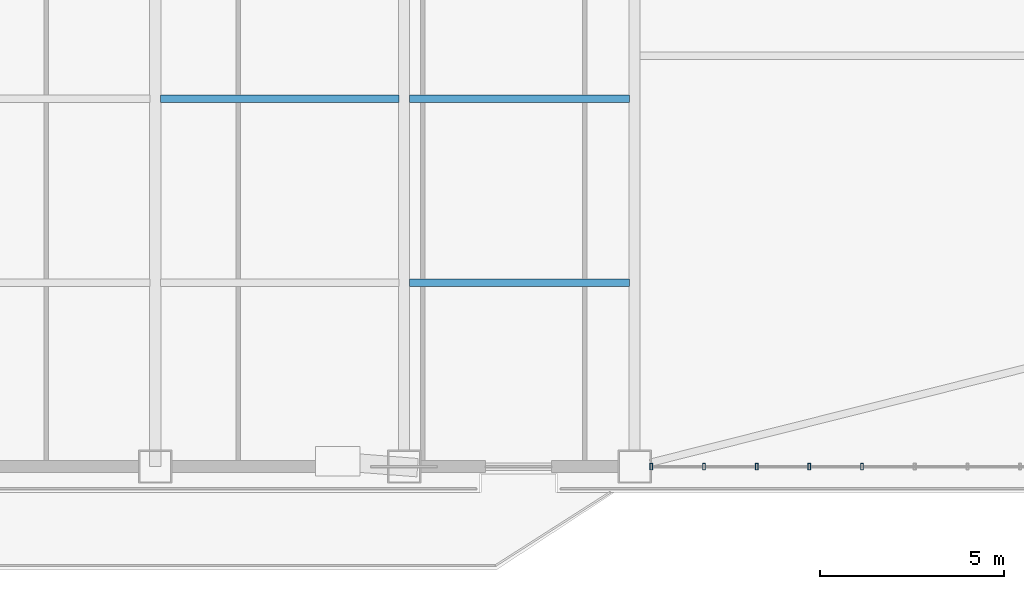
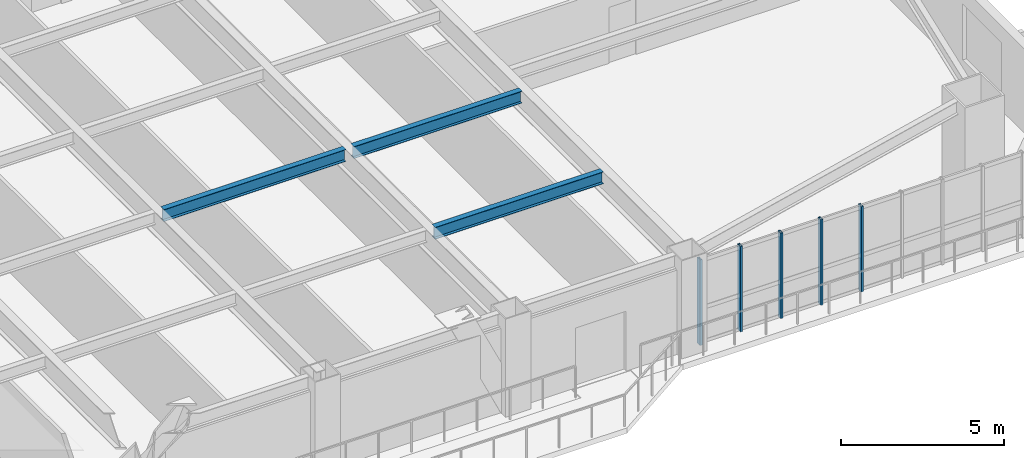
# One storey, part 4 of 15: 5 members, 3 beams, 1 element without a shape of its own.
"""IFC4 building model written with IfcOpenShell, lengths in metres."""

import ifcopenshell
import ifcopenshell.guid

model = None  # the IFC model being written
_history = None  # IfcOwnerHistory: only IFC2X3 demands one
_inside = {}  # id of a spatial element -> (the spatial element, [elements in it])
_under = {}  # id of a project, library or spatial element -> (it, [spatial elements below it])
_declared = {}  # id of a project -> (the project, [libraries it declares])
_typed = {}  # id of a type object -> (the type object, [elements of that type])
_made_of = {}  # id of a material, layer set ... -> (it, [elements and type objects made of it])


def new_model(schema):
    """Start an empty IFC model of exactly this schema.

    Asked for "IFC4X3", IfcOpenShell would pick the latest addendum, in which some entities
    have other attributes; the version numbers below select the first issue.
    IFC2X3 requires an IfcOwnerHistory on every rooted entity: one is made here for all.
    """
    global model, _history
    if schema == "IFC4X3":
        model = ifcopenshell.file(schema_version=(4, 3, 0, 0))
    else:
        model = ifcopenshell.file(schema=schema)
    _inside.clear()
    _under.clear()
    _declared.clear()
    _typed.clear()
    _made_of.clear()
    _history = None
    if model.schema == "IFC2X3":
        org = make("IfcOrganization", Name="unknown")
        user = make(
            "IfcPersonAndOrganization",
            ThePerson=make("IfcPerson", FamilyName="unknown"),
            TheOrganization=org,
        )
        app = make(
            "IfcApplication",
            ApplicationDeveloper=org,
            Version="unknown",
            ApplicationFullName="unknown",
            ApplicationIdentifier="unknown",
        )
        _history = make(
            "IfcOwnerHistory",
            OwningUser=user,
            OwningApplication=app,
            ChangeAction="ADDED",
            CreationDate=0,
        )
    return model


def make(cls, **values):
    """One entity of the class cls with the attributes given. An attribute that is None is left unset."""
    return model.create_entity(
        cls, **{name: value for name, value in values.items() if value is not None}
    )


def rooted(cls, **values):
    """An entity with a GlobalId (a new one), such as an element, a storey or a relation."""
    return make(cls, GlobalId=ifcopenshell.guid.new(), OwnerHistory=_history, **values)


def si_unit(unit_type, name, prefix=None):
    """IfcSIUnit, for example si_unit("LENGTHUNIT", "METRE", prefix="MILLI")."""
    return make("IfcSIUnit", UnitType=unit_type, Prefix=prefix, Name=name)


def assignment(units):
    """IfcUnitAssignment: the units of a project."""
    return None if units is None else make("IfcUnitAssignment", Units=units)


def point(xyz):
    """IfcCartesianPoint."""
    return None if xyz is None else make("IfcCartesianPoint", Coordinates=xyz)


def direction(xyz):
    """IfcDirection."""
    return None if xyz is None else make("IfcDirection", DirectionRatios=xyz)


def frame(location, z_axis=None, x_axis=None):
    """IfcAxis2Placement3D, a coordinate frame: its origin and axes. An axis left out is left unset."""
    return make(
        "IfcAxis2Placement3D",
        Location=point(location),
        Axis=direction(z_axis),
        RefDirection=direction(x_axis),
    )


def frame_2d(location, x_axis=None):
    """IfcAxis2Placement2D, a coordinate frame in the plane: its origin and x axis."""
    return make(
        "IfcAxis2Placement2D", Location=point(location), RefDirection=direction(x_axis)
    )


def origin():
    """The frame at (0, 0, 0) with its axes left unset."""
    return frame((0.0, 0.0, 0.0))


def origin_2d():
    """The frame at (0, 0) in the plane with its x axis left unset."""
    return frame_2d((0.0, 0.0))


def place(relative_to, where):
    """IfcLocalPlacement: puts the frame where relative to a parent placement (None: the world)."""
    return make(
        "IfcLocalPlacement", PlacementRelTo=relative_to, RelativePlacement=where
    )


def context(
    kind, dimensions, precision=None, world=None, true_north=None, identifier=None
):
    """IfcGeometricRepresentationContext, for example the 3D "Model" context."""
    return make(
        "IfcGeometricRepresentationContext",
        ContextIdentifier=identifier,
        ContextType=kind,
        CoordinateSpaceDimension=dimensions,
        Precision=precision,
        WorldCoordinateSystem=world,
        TrueNorth=true_north,
    )


def subcontext(parent, identifier, kind, view, scale=None):
    """IfcGeometricRepresentationSubContext, for example "Body" below "Model"."""
    return make(
        "IfcGeometricRepresentationSubContext",
        ContextIdentifier=identifier,
        ContextType=kind,
        ParentContext=parent,
        TargetScale=scale,
        TargetView=view,
    )


def project(units=None, contexts=None):
    """IfcProject with its units and contexts."""
    return rooted(
        "IfcProject",
        Name="project",
        RepresentationContexts=contexts,
        UnitsInContext=assignment(units),
    )


def spatial(cls, under=None, at=None, **own):
    """A site, building, storey or space (cls), placed at a placement, below another one or the project."""
    s = rooted(cls, ObjectPlacement=at, **own)
    if under is not None:
        _under.setdefault(under.id(), (under, []))[1].append(s)
    return s


def profile(cls, at=None, kind="AREA", **sizes):
    """A parametric profile (cls). Its sizes go by their IFC names, for example OverallWidth=200.0."""
    return make(cls, ProfileType=kind, Position=at, **sizes)


def hollow_rectangle(**sizes):
    """IfcRectangleHollowProfileDef."""
    return profile("IfcRectangleHollowProfileDef", **sizes)


def i_section(**sizes):
    """IfcIShapeProfileDef."""
    return profile("IfcIShapeProfileDef", **sizes)


def extrude(swept, where, along, depth):
    """IfcExtrudedAreaSolid: the profile swept, set in the frame where, extruded along a direction by depth."""
    return make(
        "IfcExtrudedAreaSolid",
        SweptArea=swept,
        Position=where,
        ExtrudedDirection=direction(along),
        Depth=depth,
    )


def shape(context_of_items, identifier, shape_type, items):
    """IfcShapeRepresentation: the items that make up one representation, for example the "Body"."""
    return make(
        "IfcShapeRepresentation",
        ContextOfItems=context_of_items,
        RepresentationIdentifier=identifier,
        RepresentationType=shape_type,
        Items=items,
    )


def source(mapping_origin, context_of_items, identifier, shape_type, items):
    """IfcRepresentationMap: a shape defined once, which mapped items show again and again."""
    return make(
        "IfcRepresentationMap",
        MappingOrigin=mapping_origin,
        MappedRepresentation=shape(context_of_items, identifier, shape_type, items),
    )


def transform(
    local_origin,
    x_axis=None,
    y_axis=None,
    z_axis=None,
    scale=None,
    scale2=None,
    scale3=None,
    uniform=True,
):
    """IfcCartesianTransformationOperator3D, or its non-uniform kind. x_axis, y_axis, z_axis: its Axis1, 2, 3."""
    if uniform:
        return make(
            "IfcCartesianTransformationOperator3D",
            Axis1=direction(x_axis),
            Axis2=direction(y_axis),
            LocalOrigin=point(local_origin),
            Scale=scale,
            Axis3=direction(z_axis),
        )
    return make(
        "IfcCartesianTransformationOperator3DnonUniform",
        Axis1=direction(x_axis),
        Axis2=direction(y_axis),
        LocalOrigin=point(local_origin),
        Scale=scale,
        Axis3=direction(z_axis),
        Scale2=scale2,
        Scale3=scale3,
    )


def mapped(mapping_source, mapping_target):
    """IfcMappedItem: shows the shape of a source again, moved by a transform."""
    return make(
        "IfcMappedItem", MappingSource=mapping_source, MappingTarget=mapping_target
    )


def material(Name=None, Category=None):
    """IfcMaterial."""
    return make("IfcMaterial", Name=Name, Category=Category)


def layer(
    of_material, thickness, ventilated=None, Name=None, Category=None, Priority=None
):
    """IfcMaterialLayer: one layer of a wall or slab, of a material (None: an air gap)."""
    return make(
        "IfcMaterialLayer",
        Material=of_material,
        LayerThickness=thickness,
        IsVentilated=ventilated,
        Name=Name,
        Category=Category,
        Priority=Priority,
    )


def layer_set(layers, Name=None):
    """IfcMaterialLayerSet."""
    return make("IfcMaterialLayerSet", MaterialLayers=layers, LayerSetName=Name)


def material_profile(
    of_material, cross_section, Name=None, Category=None, Priority=None
):
    """IfcMaterialProfile: a cross section and its material."""
    return make(
        "IfcMaterialProfile",
        Name=Name,
        Material=of_material,
        Profile=cross_section,
        Priority=Priority,
        Category=Category,
    )


def profile_set(profiles, Name=None, composite=None):
    """IfcMaterialProfileSet."""
    return make(
        "IfcMaterialProfileSet",
        Name=Name,
        MaterialProfiles=profiles,
        CompositeProfile=composite,
    )


def made_of(thing, what):
    """Note that an element or type object is made of a material, layer set ...; save() writes the relation."""
    if what is not None:
        _made_of.setdefault(what.id(), (what, []))[1].append(thing)
    return thing


def type_object(cls, material=None, **own):
    """A type object (cls), such as IfcWallType, which elements share."""
    return made_of(rooted(cls, **own), material)


def element(
    cls,
    number,
    at=None,
    inside=None,
    cuts=None,
    type_object=None,
    material=None,
    context=None,
    identifier="Body",
    shape_type=None,
    held_by="IfcProductDefinitionShape",
    body=None,
    shapes=None,
    **own,
):
    """One element of the class cls, such as IfcWall. Its Tag is "e" and its number.

    at: its placement. inside: the storey or other place that contains it. cuts: it is an
    opening in that element (IfcRelVoidsElement). A single representation is given by context,
    identifier, shape_type and body (its items); several are given by shapes. held_by: the class
    of the entity that holds the representations. save() writes the other relations.
    """
    e = rooted(cls, Tag="e%d" % number, ObjectPlacement=at, **own)
    if body is not None:
        shapes = [shape(context, identifier, shape_type, body)]
    if shapes is not None:
        e.Representation = make(held_by, Representations=shapes)
    if inside is not None:
        _inside.setdefault(inside.id(), (inside, []))[1].append(e)
    if cuts is not None:
        rooted(
            "IfcRelVoidsElement", RelatingBuildingElement=cuts, RelatedOpeningElement=e
        )
    if type_object is not None:
        _typed.setdefault(type_object.id(), (type_object, []))[1].append(e)
    return made_of(e, material)


def aggregate(whole, parts):
    """IfcRelAggregates: a whole, such as a stair, and the parts it consists of."""
    return rooted("IfcRelAggregates", RelatingObject=whole, RelatedObjects=parts)


def save(model, path):
    """Write the relations noted so far, then the file.

    IfcRelAggregates (storeys below a building ...), IfcRelContainedInSpatialStructure (elements
    in a storey), IfcRelDefinesByType, IfcRelAssociatesMaterial and IfcRelDeclares: one each for
    every whole, place, type object, material and project.
    """
    for whole, parts in _under.values():
        aggregate(whole, parts)
    for where, things in _inside.values():
        rooted(
            "IfcRelContainedInSpatialStructure",
            RelatedElements=things,
            RelatingStructure=where,
        )
    for kind, things in _typed.values():
        rooted("IfcRelDefinesByType", RelatedObjects=things, RelatingType=kind)
    for what, things in _made_of.values():
        rooted("IfcRelAssociatesMaterial", RelatedObjects=things, RelatingMaterial=what)
    for by, libraries in _declared.values():
        rooted("IfcRelDeclares", RelatingContext=by, RelatedDefinitions=libraries)
    model.write(path)


model = new_model("IFC4")

# Units and contexts
model_context = context("Model", 3, precision=1e-05, world=origin(), true_north=direction((0.0, 1.0)))
body_context = subcontext(model_context, "Body", "Model", "MODEL_VIEW")
ifc_project = project(units=[si_unit("LENGTHUNIT", "METRE"), si_unit("AREAUNIT", "SQUARE_METRE"), si_unit("VOLUMEUNIT", "CUBIC_METRE"), si_unit("PLANEANGLEUNIT", "RADIAN"), si_unit("MASSUNIT", "GRAM", prefix="KILO")], contexts=[model_context])

# Site, building, storey
site_placement = place(None, origin())
site = spatial("IfcSite", under=ifc_project, at=site_placement, CompositionType="ELEMENT")
building_placement = place(site_placement, origin())
building = spatial("IfcBuilding", under=site, at=building_placement, Name="Giltprow Tower", CompositionType="ELEMENT")
storey_placement = place(building_placement, frame((0.0, 0.0, 123.10009765625)))
storey = spatial("IfcBuildingStorey", under=building, at=storey_placement, Name="L30", CompositionType="ELEMENT", Elevation=123.10009765625)

# Beams
ifc_material_1 = material(Name="Structural steel Q355B", Category="steel")
ifc_material_profile_1 = material_profile(ifc_material_1, i_section(OverallWidth=0.199951171875, OverallDepth=0.449951171875, WebThickness=0.009033203125, FlangeThickness=0.013916015625, at=origin_2d()), Name="HN 450x200x9x14")
ifc_profile_set_1 = profile_set([ifc_material_profile_1], Name="Structural steel Q355B")
beam_type = type_object("IfcBeamType", Name="BM-JOIST-HN450", PredefinedType="JOIST", material=ifc_profile_set_1)
shared_shape_1 = source(origin(), body_context, "Body", "SweptSolid", [
    extrude(i_section(OverallWidth=0.199951171875, OverallDepth=0.449951171875, WebThickness=0.009033203125, FlangeThickness=0.013916015625, at=origin_2d()), origin(), (0.0, 0.0, 1.0), 6.4599609375),
])
beam_placement = place(storey_placement, frame((37.695068359375, 17.4951171875, 3.454833984375), z_axis=(1.0, 0.0, 0.0), x_axis=(0.0, 1.0, 0.0)))
element("IfcBeam", 1, at=beam_placement, inside=storey, type_object=beam_type, Name="L30 Composite Floor Joist 2-3", PredefinedType="JOIST", context=body_context, shape_type="MappedRepresentation", body=[
    mapped(shared_shape_1, transform((0.0, 0.0, 0.0), x_axis=(1.0, 0.0, 0.0), y_axis=(0.0, 1.0, 0.0), z_axis=(0.0, 0.0, 1.0), scale=1.0)),
])
shared_shape_2 = source(origin(), body_context, "Body", "SweptSolid", [
    extrude(i_section(OverallWidth=0.199951171875, OverallDepth=0.449951171875, WebThickness=0.009033203125, FlangeThickness=0.013916015625, at=origin_2d()), origin(), (0.0, 0.0, 1.0), 5.9599609375),
])
for number, where, z_axis, x_axis, name in (
    (2, (44.445068359375, 12.507080078125, 3.454833984375), (1.0, 0.0, 0.0), (0.0, 1.0, 0.0), "L30 Composite Floor Joist 1-4"),
    (3, (44.445068359375, 17.4951171875, 3.454833984375), (1.0, 0.0, 0.0), (0.0, 1.0, 0.0), "L30 Composite Floor Joist 2-4"),
):
    element("IfcBeam", number, at=place(storey_placement, frame(where, z_axis=z_axis, x_axis=x_axis)), inside=storey, type_object=beam_type, Name=name, PredefinedType="JOIST", context=body_context, shape_type="MappedRepresentation", body=[
        mapped(shared_shape_2, transform((0.0, 0.0, 0.0), x_axis=(1.0, 0.0, 0.0), y_axis=(0.0, 1.0, 0.0), z_axis=(0.0, 0.0, 1.0), scale=1.0)),
    ])

# Curtain wall, members
ifc_material_2 = material(Name="Anodized bronze", Category="metal")
ifc_layer = layer(ifc_material_2, 0.179931640625, Name="Anodized bronze")
ifc_layer_set = layer_set([ifc_layer], Name="Anodized bronze")
curtain_wall_type = type_object("IfcCurtainWallType", Name="CW-OFF-RECESSED", PredefinedType="NOTDEFINED", material=ifc_layer_set)
curtain_wall_placement = place(storey_placement, origin())
curtain_wall = element("IfcCurtainWall", 4, at=curtain_wall_placement, inside=storey, type_object=curtain_wall_type, Name="L30 South Recessed Curtain Wall 6", PredefinedType="NOTDEFINED")
ifc_material_profile_2 = material_profile(ifc_material_2, hollow_rectangle(XDim=0.074951171875, YDim=0.179931640625, WallThickness=0.008056640625, at=origin_2d()), Name="RHS 180x75x8")
ifc_profile_set_2 = profile_set([ifc_material_profile_2], Name="Anodized bronze")
member_type = type_object("IfcMemberType", Name="CW-MULLION-180x75", PredefinedType="MULLION", material=ifc_profile_set_2)
shared_shape_3 = source(origin(), body_context, "Body", "SweptSolid", [
    extrude(hollow_rectangle(XDim=0.074951171875, YDim=0.179931640625, WallThickness=0.008056640625, at=origin_2d()), origin(), (0.0, 0.0, 1.0), 3.21484375),
])
member_1_placement = place(storey_placement, frame((51.0, 7.51806640625, -0.02001953125), z_axis=(0.0, 0.0, 1.0), x_axis=(1.0, 0.0, 0.0)))
member_1 = element("IfcMember", 5, at=member_1_placement, type_object=member_type, Name="L30 South Recessed Curtain Wall 6 Mullion 1", PredefinedType="MULLION", context=body_context, shape_type="MappedRepresentation", body=[
    mapped(shared_shape_3, transform((0.0, 0.0, 0.0), x_axis=(1.0, 0.0, 0.0), y_axis=(0.0, 1.0, 0.0), z_axis=(0.0, 0.0, 1.0), scale=1.0)),
])
member_2_placement = place(storey_placement, frame((52.428955078125, 7.51806640625, -0.02001953125), z_axis=(0.0, 0.0, 1.0), x_axis=(1.0, 0.0, 0.0)))
member_2 = element("IfcMember", 6, at=member_2_placement, type_object=member_type, Name="L30 South Recessed Curtain Wall 6 Mullion 2", PredefinedType="MULLION", context=body_context, shape_type="MappedRepresentation", body=[
    mapped(shared_shape_3, transform((0.0, 0.0, 0.0), x_axis=(1.0, 0.0, 0.0), y_axis=(0.0, 1.0, 0.0), z_axis=(0.0, 0.0, 1.0), scale=1.0)),
])
member_3_placement = place(storey_placement, frame((53.85791015625, 7.51806640625, -0.02001953125), z_axis=(0.0, 0.0, 1.0), x_axis=(1.0, 0.0, 0.0)))
member_3 = element("IfcMember", 7, at=member_3_placement, type_object=member_type, Name="L30 South Recessed Curtain Wall 6 Mullion 3", PredefinedType="MULLION", context=body_context, shape_type="MappedRepresentation", body=[
    mapped(shared_shape_3, transform((0.0, 0.0, 0.0), x_axis=(1.0, 0.0, 0.0), y_axis=(0.0, 1.0, 0.0), z_axis=(0.0, 0.0, 1.0), scale=1.0)),
])
member_4_placement = place(storey_placement, frame((55.285888671875, 7.51806640625, -0.02001953125), z_axis=(0.0, 0.0, 1.0), x_axis=(1.0, 0.0, 0.0)))
member_4 = element("IfcMember", 8, at=member_4_placement, type_object=member_type, Name="L30 South Recessed Curtain Wall 6 Mullion 4", PredefinedType="MULLION", context=body_context, shape_type="MappedRepresentation", body=[
    mapped(shared_shape_3, transform((0.0, 0.0, 0.0), x_axis=(1.0, 0.0, 0.0), y_axis=(0.0, 1.0, 0.0), z_axis=(0.0, 0.0, 1.0), scale=1.0)),
])
member_5_placement = place(storey_placement, frame((56.715087890625, 7.51806640625, -0.02001953125), z_axis=(0.0, 0.0, 1.0), x_axis=(1.0, 0.0, 0.0)))
member_5 = element("IfcMember", 9, at=member_5_placement, type_object=member_type, Name="L30 South Recessed Curtain Wall 6 Mullion 5", PredefinedType="MULLION", context=body_context, shape_type="MappedRepresentation", body=[
    mapped(shared_shape_3, transform((0.0, 0.0, 0.0), x_axis=(1.0, 0.0, 0.0), y_axis=(0.0, 1.0, 0.0), z_axis=(0.0, 0.0, 1.0), scale=1.0)),
])
aggregate(curtain_wall, [member_1, member_2, member_3, member_4, member_5])

save(model, "model.ifc")
